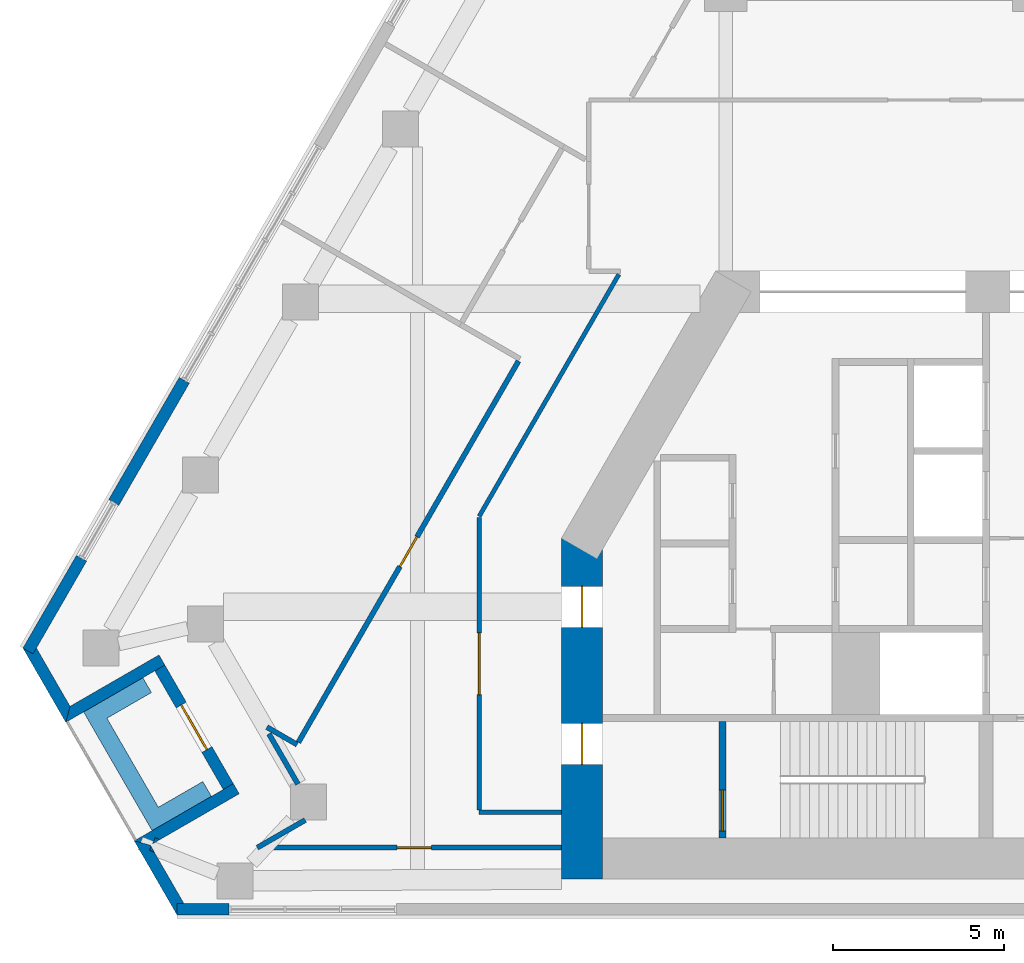
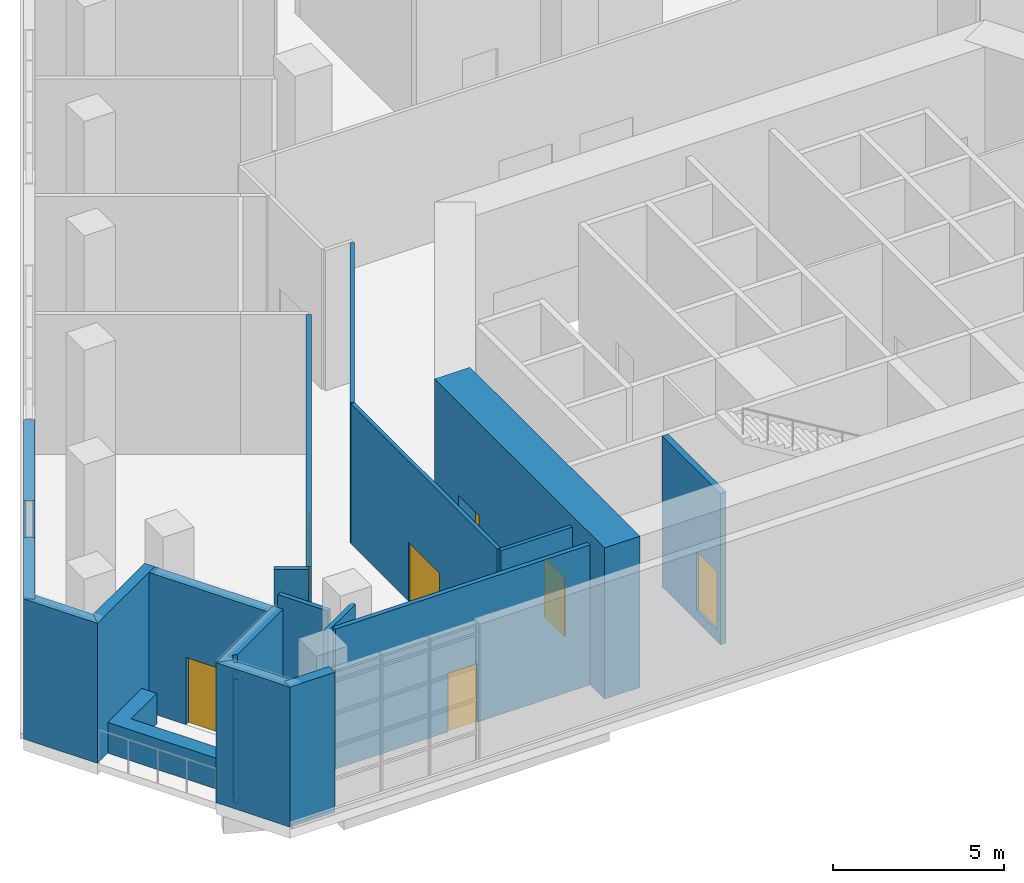
# One storey, part 12 of 18: 21 walls, 7 doors, 7 openings.
"""IFC4 building model written with IfcOpenShell, lengths in metres."""

from ifc_helpers import new_model, si_unit, direction, frame, frame_2d, origin, place, context, subcontext, project, spatial, polyline, rectangle, outline, extrude, material, layer, layer_set, type_object, element, fill, save


model = new_model("IFC4")

# Units and contexts
model_context = context("Model", 3, precision=1e-05, world=origin(), true_north=direction((0.0, 1.0)))
body_context = subcontext(model_context, "Body", "Model", "MODEL_VIEW")
ifc_project = project(units=[si_unit("LENGTHUNIT", "METRE"), si_unit("AREAUNIT", "SQUARE_METRE"), si_unit("VOLUMEUNIT", "CUBIC_METRE"), si_unit("PLANEANGLEUNIT", "RADIAN"), si_unit("MASSUNIT", "GRAM", prefix="KILO")], contexts=[model_context])

# Site, building, storey
site_placement = place(None, origin())
site = spatial("IfcSite", under=ifc_project, at=site_placement, CompositionType="ELEMENT")
building_placement = place(site_placement, origin())
building = spatial("IfcBuilding", under=site, at=building_placement, Name="Fogline Exchange Tower", CompositionType="ELEMENT")
storey_placement = place(building_placement, frame((0.0, 0.0, 137.5)))
storey = spatial("IfcBuildingStorey", under=building, at=storey_placement, Name="L30", CompositionType="ELEMENT", Elevation=137.5)

# Wall, opening, door
ifc_material_1 = material(Name="Concrete C40", Category="concrete")
ifc_layer_1 = layer(ifc_material_1, 0.199951171875)
ifc_layer_set_1 = layer_set([ifc_layer_1], Name="CW20R")
wall_type_1 = type_object("IfcWallType", Name="CW20R", PredefinedType="SOLIDWALL", material=ifc_layer_set_1)
wall_1_placement = place(storey_placement, frame((-9.10009765625, 2.25, -0.39990234375), z_axis=(0.0, 0.0, 1.0), x_axis=(0.0, 1.0, 0.0)))
wall_1 = element("IfcWall", 1, at=wall_1_placement, inside=storey, type_object=wall_type_1, Name="Stair enclosure wall", PredefinedType="SOLIDWALL", context=body_context, shape_type="SweptSolid", body=[
    extrude(rectangle(XDim=3.39990234375, YDim=0.199951171875, at=frame_2d((1.699951171875, 0.0))), origin(), (0.0, 0.0, 1.0), 5.39990234375),
])
opening_1_placement = place(wall_1_placement, frame((0.199951171875, 0.0, 0.39990234375)))
opening_1 = element("IfcOpeningElement", 2, at=opening_1_placement, cuts=wall_1, Name="Opening T09-C010", PredefinedType="OPENING", context=body_context, shape_type="SweptSolid", body=[
    extrude(rectangle(XDim=1.199951171875, YDim=2.10009765625, at=frame_2d((0.60009765625, 1.050048828125))), frame((0.0, 0.10986328125, 0.0), z_axis=(0.0, -1.0, 0.0), x_axis=(1.0, 0.0, 0.0)), (0.0, 0.0, 1.0), 0.219970703125),
])
ifc_material_2 = material(Name="Steel and timber fire door", Category="steel")
door_type_1 = type_object("IfcDoorType", Name="D-ST1", OperationType="SINGLE_SWING_LEFT", PredefinedType="DOOR", material=ifc_material_2)
door_1_placement = place(opening_1_placement, frame((1.199951171875, 0.0, 0.0), z_axis=(0.0, 0.0, 1.0), x_axis=(-1.0, 0.0, 0.0)))
door_1 = element("IfcDoor", 3, at=door_1_placement, inside=storey, type_object=door_type_1, Name="Stair door ST1", OperationType="SINGLE_SWING_RIGHT", OverallHeight=2.10009765625, OverallWidth=1.199951171875, PredefinedType="DOOR", context=body_context, shape_type="SweptSolid", body=[
    extrude(rectangle(XDim=1.199951171875, YDim=2.10009765625, at=frame_2d((0.60009765625, 1.050048828125))), frame((0.0, 0.02490234375, 0.0), z_axis=(0.0, -1.0, 0.0), x_axis=(1.0, 0.0, 0.0)), (0.0, 0.0, 1.0), 0.050048828125),
])
fill(opening_1, door_1)

# Walls
ifc_material_3 = material(Name="Brick masonry", Category="masonry")
ifc_layer_2 = layer(ifc_material_3, 0.340087890625)
ifc_layer_set_2 = layer_set([ifc_layer_2], Name="FW1")
wall_type_2 = type_object("IfcWallType", Name="FW1", PredefinedType="SOLIDWALL", material=ifc_layer_set_2)
wall_2_placement = place(storey_placement, origin())
element("IfcWall", 4, at=wall_2_placement, inside=storey, type_object=wall_type_2, Name="Brick wall L30 SW-c1", PredefinedType="SOLIDWALL", context=body_context, shape_type="SweptSolid", body=[
    extrude(outline(polyline([(-28.270751953125, 5.6279296875), (-29.52197265625, 7.794921875), (-29.521484375, 7.79541015625), (-29.2265625, 7.625), (-29.128173828125, 7.79541015625), (-28.145751953125, 6.09375), (-28.2705078125, 5.6279296875), (-28.270751953125, 5.6279296875)])), origin(), (0.0, 0.0, 1.0), 5.0),
])
wall_3_placement = place(storey_placement, origin())
element("IfcWall", 5, at=wall_3_placement, inside=storey, type_object=wall_type_2, Name="Brick wall L30 SW-s1", PredefinedType="SOLIDWALL", context=body_context, shape_type="SweptSolid", body=[
    extrude(outline(polyline([(-25.548095703125, 7.594482421875), (-25.37744140625, 7.298828125), (-25.672607421875, 7.128662109375), (-28.271484375, 5.628173828125), (-28.271728515625, 5.62841796875), (-28.14697265625, 6.093994140625), (-25.548095703125, 7.594482421875)])), origin(), (0.0, 0.0, 1.0), 5.0),
])

# Wall, opening, door
wall_4_placement = place(storey_placement, frame((-25.525634765625, 7.214111328125, 0.0), z_axis=(0.0, 0.0, 1.0), x_axis=(0.49999894854, -0.866026010844, 0.0)))
wall_4 = element("IfcWall", 6, at=wall_4_placement, inside=storey, type_object=wall_type_2, Name="Brick wall L30 SW-bk", PredefinedType="SOLIDWALL", context=body_context, shape_type="SweptSolid", body=[
    extrude(rectangle(XDim=4.0, YDim=0.340087890625, at=frame_2d((2.0, 0.0))), origin(), (0.0, 0.0, 1.0), 5.0),
])
opening_2_placement = place(wall_4_placement, frame((1.25, 0.0, 0.0)))
opening_2 = element("IfcOpeningElement", 7, at=opening_2_placement, cuts=wall_4, Name="Opening T09-E021", PredefinedType="OPENING", context=body_context, shape_type="SweptSolid", body=[
    extrude(rectangle(XDim=1.5, YDim=2.39990234375, at=frame_2d((0.75, 1.199951171875))), frame((0.0, 0.18017578125, 0.0), z_axis=(0.0, -1.0, 0.0), x_axis=(1.0, 0.0, 0.0)), (0.0, 0.0, 1.0), 0.360107421875),
])
ifc_material_4 = material(Name="Aluminium and glass", Category="aluminium")
door_type_2 = type_object("IfcDoorType", Name="ED4", OperationType="SINGLE_SWING_LEFT", PredefinedType="DOOR", material=ifc_material_4)
door_2_placement = place(opening_2_placement, frame((1.5, 0.0, 0.0), z_axis=(0.0, 0.0, 1.0), x_axis=(-1.0, 0.0, 0.0)))
door_2 = element("IfcDoor", 8, at=door_2_placement, inside=storey, type_object=door_type_2, Name="Balcony door L30 SW", OperationType="DOUBLE_DOOR_SINGLE_SWING", OverallHeight=2.39990234375, OverallWidth=1.5, PredefinedType="DOOR", context=body_context, shape_type="SweptSolid", body=[
    extrude(rectangle(XDim=1.5, YDim=2.39990234375, at=frame_2d((0.75, 1.199951171875))), frame((0.0, 0.02490234375, 0.0), z_axis=(0.0, -1.0, 0.0), x_axis=(1.0, 0.0, 0.0)), (0.0, 0.0, 1.0), 0.050048828125),
])
fill(opening_2, door_2)

# Walls
wall_5_placement = place(storey_placement, origin())
element("IfcWall", 9, at=wall_5_placement, inside=storey, type_object=wall_type_2, Name="Brick wall L30 SW-s2", PredefinedType="SOLIDWALL", context=body_context, shape_type="SweptSolid", body=[
    extrude(outline(polyline([(-25.741455078125, 2.077392578125), (-25.659423828125, 2.260986328125), (-25.5263671875, 2.20166015625), (-25.741455078125, 2.077392578125)])), origin(), (0.0, 0.0, 1.0), 4.39990234375),
])
wall_6_placement = place(storey_placement, origin())
element("IfcWall", 10, at=wall_6_placement, inside=storey, type_object=wall_type_2, Name="Brick wall L30 SW-s2", PredefinedType="SOLIDWALL", context=body_context, shape_type="SweptSolid", body=[
    extrude(outline(polyline([(-23.673095703125, 3.66552734375), (-23.378173828125, 3.8359375), (-23.20751953125, 3.540283203125), (-25.5263671875, 2.20166015625), (-25.659423828125, 2.260986328125), (-25.741455078125, 2.077392578125), (-25.806396484375, 2.0400390625), (-26.27197265625, 2.164794921875), (-26.27197265625, 2.1650390625), (-23.673095703125, 3.66552734375)])), origin(), (0.0, 0.0, 1.0), 5.0),
])
wall_7_placement = place(storey_placement, origin())
element("IfcWall", 11, at=wall_7_placement, inside=storey, type_object=wall_type_2, Name="Brick wall L30 SW-c2", PredefinedType="SOLIDWALL", context=body_context, shape_type="SweptSolid", body=[
    extrude(outline(polyline([(-25.687255859375, 1.83544921875), (-25.822509765625, 1.895751953125), (-25.77880859375, 1.993896484375), (-25.687255859375, 1.83544921875)])), origin(), (0.0, 0.0, 1.0), 4.39990234375),
])
wall_8_placement = place(storey_placement, origin())
element("IfcWall", 12, at=wall_8_placement, inside=storey, type_object=wall_type_2, Name="Brick wall L30 SW-c2", PredefinedType="SOLIDWALL", context=body_context, shape_type="SweptSolid", body=[
    extrude(outline(polyline([(-25.020263671875, 0.33935546875), (-25.020263671875, -0.0009765625), (-25.020751953125, -0.001220703125), (-26.27197265625, 2.165771484375), (-26.271728515625, 2.166015625), (-25.805908203125, 2.041015625), (-25.77880859375, 1.993896484375), (-25.822509765625, 1.895751953125), (-25.687255859375, 1.83544921875), (-24.823486328125, 0.33935546875), (-25.020263671875, 0.33935546875)])), origin(), (0.0, 0.0, 1.0), 5.0),
])
wall_9_placement = place(storey_placement, frame((-25.020751953125, 0.169921875, 0.0), z_axis=(0.0, 0.0, 1.0), x_axis=(1.0, 0.0, 0.0)))
element("IfcWall", 13, at=wall_9_placement, inside=storey, type_object=wall_type_2, Name="Brick wall L30 S bay 1", PredefinedType="SOLIDWALL", context=body_context, shape_type="SweptSolid", body=[
    extrude(rectangle(XDim=1.520751953125, YDim=0.340087890625, at=frame_2d((0.76025390625, 0.0))), origin(), (0.0, 0.0, 1.0), 5.0),
])
wall_10_placement = place(storey_placement, frame((-24.81103515625, 15.612060546875, 0.0), z_axis=(0.0, 0.0, 1.0), x_axis=(-0.499974107589, -0.866040352259, 0.0)))
element("IfcWall", 14, at=wall_10_placement, inside=storey, type_object=wall_type_2, Name="Brick wall L30 W bay 5", PredefinedType="SOLIDWALL", context=body_context, shape_type="SweptSolid", body=[
    extrude(rectangle(XDim=4.114990234375, YDim=0.340087890625, at=frame_2d((2.0576171875, 0.0))), origin(), (0.0, 0.0, 1.0), 5.0),
])
wall_11_placement = place(storey_placement, frame((-27.81103515625, 10.416015625, 0.0), z_axis=(0.0, 0.0, 1.0), x_axis=(-0.499936582807, -0.866062014622, 0.0)))
element("IfcWall", 15, at=wall_11_placement, inside=storey, type_object=wall_type_2, Name="Brick wall L30 W bay 6", PredefinedType="SOLIDWALL", context=body_context, shape_type="SweptSolid", body=[
    extrude(rectangle(XDim=3.12548828125, YDim=0.340087890625, at=frame_2d((1.562744140625, 0.0))), origin(), (0.0, 0.0, 1.0), 5.0),
])
ifc_material_5 = material(Name="Concrete C30", Category="concrete")
ifc_layer_3 = layer(ifc_material_5, 0.199951171875)
ifc_layer_set_3 = layer_set([ifc_layer_3], Name="PL1")
wall_type_3 = type_object("IfcWallType", Name="PL1", PredefinedType="USERDEFINED", material=ifc_layer_set_3)
wall_12_placement = place(storey_placement, origin())
element("IfcWall", 16, at=wall_12_placement, inside=storey, type_object=wall_type_3, Name="PLANTER balcony L30 SW", ObjectType="PLANTER", PredefinedType="USERDEFINED", context=body_context, shape_type="SweptSolid", body=[
    extrude(outline(polyline([(-24.269287109375, 3.898193359375), (-25.568115234375, 3.148193359375), (-27.068115234375, 5.74609375), (-25.769287109375, 6.49609375), (-26.019287109375, 6.92919921875), (-27.751220703125, 5.92919921875), (-27.501220703125, 5.49609375), (-25.751220703125, 2.465087890625), (-25.318115234375, 2.715087890625), (-25.318115234375, 2.715087890625), (-24.019287109375, 3.465087890625), (-24.269287109375, 3.898193359375)])), origin(), (0.0, 0.0, 1.0), 1.10009765625),
])
ifc_material_6 = material(Name="Plasterboard corridor partition with mineral wool, 2 layers each side")
ifc_layer_4 = layer(ifc_material_6, 0.125)
ifc_layer_set_4 = layer_set([ifc_layer_4], Name="PW2")
wall_type_4 = type_object("IfcWallType", Name="PW2", PredefinedType="PARTITIONING", material=ifc_layer_set_4)
wall_13_placement = place(storey_placement, frame((-13.800048828125, 3.0, 0.0), z_axis=(0.0, 0.0, 1.0), x_axis=(-1.0, 0.0, 0.0)))
element("IfcWall", 17, at=wall_13_placement, inside=storey, type_object=wall_type_4, Name="wall-L30-W014", PredefinedType="PARTITIONING", context=body_context, shape_type="SweptSolid", body=[
    extrude(rectangle(XDim=2.39990234375, YDim=0.125, at=frame_2d((1.199951171875, 0.0))), origin(), (0.0, 0.0, 1.0), 5.0),
])

# Wall, opening, door
wall_14_placement = place(storey_placement, frame((-16.199951171875, 3.0625, 0.0), z_axis=(0.0, 0.0, 1.0), x_axis=(0.0, 1.0, 0.0)))
wall_14 = element("IfcWall", 18, at=wall_14_placement, inside=storey, type_object=wall_type_4, Name="wall-L30-W015", PredefinedType="PARTITIONING", context=body_context, shape_type="SweptSolid", body=[
    extrude(rectangle(XDim=8.548583984375, YDim=0.125, at=frame_2d((4.2744140625, 0.0))), origin(), (0.0, 0.0, 1.0), 5.0),
])
opening_3_placement = place(wall_14_placement, frame((3.374267578125, 0.0, 0.0)))
opening_3 = element("IfcOpeningElement", 19, at=opening_3_placement, cuts=wall_14, Name="Opening T09-D007", PredefinedType="OPENING", context=body_context, shape_type="SweptSolid", body=[
    extrude(rectangle(XDim=1.800048828125, YDim=2.10009765625, at=frame_2d((0.89990234375, 1.050048828125))), frame((0.0, 0.072509765625, 0.0), z_axis=(0.0, -1.0, 0.0), x_axis=(1.0, 0.0, 0.0)), (0.0, 0.0, 1.0), 0.14501953125),
])
ifc_material_7 = material(Name="Fire-rated timber door leaves with steel frame", Category="steel")
door_type_3 = type_object("IfcDoorType", Name="D4", OperationType="DOUBLE_DOOR_SINGLE_SWING", PredefinedType="DOOR", material=ifc_material_7)
door_3_placement = place(opening_3_placement, frame((1.800048828125, 0.0, 0.0), z_axis=(0.0, 0.0, 1.0), x_axis=(-1.0, 0.0, 0.0)))
door_3 = element("IfcDoor", 20, at=door_3_placement, inside=storey, type_object=door_type_3, Name="door-L30-D007", OperationType="DOUBLE_DOOR_SINGLE_SWING", OverallHeight=2.10009765625, OverallWidth=1.800048828125, PredefinedType="DOOR", context=body_context, shape_type="SweptSolid", body=[
    extrude(rectangle(XDim=1.800048828125, YDim=2.10009765625, at=frame_2d((0.89990234375, 1.050048828125))), frame((0.0, 0.02490234375, 0.0), z_axis=(0.0, -1.0, 0.0), x_axis=(1.0, 0.0, 0.0)), (0.0, 0.0, 1.0), 0.050048828125),
])
fill(opening_3, door_3)

# Wall
wall_15_placement = place(storey_placement, frame((-16.199951171875, 11.64208984375, 0.0), z_axis=(0.0, 0.0, 1.0), x_axis=(0.499989328978, 0.866031564614, 0.0)))
element("IfcWall", 21, at=wall_15_placement, inside=storey, type_object=wall_type_4, Name="wall-L30-W016", PredefinedType="PARTITIONING", context=body_context, shape_type="SweptSolid", body=[
    extrude(rectangle(XDim=8.156494140625, YDim=0.125, at=frame_2d((4.078125, 0.0))), origin(), (0.0, 0.0, 1.0), 5.0),
])

# Wall, opening, door
ifc_material_8 = material(Name="Plasterboard demising partition with mineral wool and acoustic board")
ifc_layer_5 = layer(ifc_material_8, 0.14990234375)
ifc_layer_set_5 = layer_set([ifc_layer_5], Name="PW3")
wall_type_5 = type_object("IfcWallType", Name="PW3", PredefinedType="PARTITIONING", material=ifc_layer_set_5)
wall_16_placement = place(storey_placement, frame((-15.0517578125, 16.17529296875, 0.0), z_axis=(0.0, 0.0, 1.0), x_axis=(-0.500011789842, -0.866018596809, 0.0)))
wall_16 = element("IfcWall", 22, at=wall_16_placement, inside=storey, type_object=wall_type_5, Name="wall-L30-W054", PredefinedType="PARTITIONING", context=body_context, shape_type="SweptSolid", body=[
    extrude(rectangle(XDim=12.855224609375, YDim=0.14990234375, at=frame_2d((6.427734375, 0.0))), origin(), (0.0, 0.0, 1.0), 5.0),
])
opening_4_placement = place(wall_16_placement, frame((5.927490234375, 0.0, 0.0)))
opening_4 = element("IfcOpeningElement", 23, at=opening_4_placement, cuts=wall_16, Name="Opening T09-D017", PredefinedType="OPENING", context=body_context, shape_type="SweptSolid", body=[
    extrude(rectangle(XDim=1.0, YDim=2.10009765625, at=frame_2d((0.5, 1.050048828125))), frame((0.0, 0.0849609375, 0.0), z_axis=(0.0, -1.0, 0.0), x_axis=(1.0, 0.0, 0.0)), (0.0, 0.0, 1.0), 0.169921875),
])
ifc_material_9 = material(Name="Fire-rated timber door leaf with steel frame", Category="steel")
door_type_4 = type_object("IfcDoorType", Name="D3", OperationType="SINGLE_SWING_LEFT", PredefinedType="DOOR", material=ifc_material_9)
door_4_placement = place(opening_4_placement, frame((1.0, 0.0, 0.0), z_axis=(0.0, 0.0, 1.0), x_axis=(-1.0, 0.0, 0.0)))
door_4 = element("IfcDoor", 24, at=door_4_placement, inside=storey, type_object=door_type_4, Name="door-L30-D017", OperationType="SINGLE_SWING_RIGHT", OverallHeight=2.10009765625, OverallWidth=1.0, PredefinedType="DOOR", context=body_context, shape_type="SweptSolid", body=[
    extrude(rectangle(XDim=1.0, YDim=2.10009765625, at=frame_2d((0.5, 1.050048828125))), frame((0.0, 0.02490234375, 0.0), z_axis=(0.0, -1.0, 0.0), x_axis=(1.0, 0.0, 0.0)), (0.0, 0.0, 1.0), 0.050048828125),
])
fill(opening_4, door_4)

# Wall
wall_17_placement = place(storey_placement, frame((-21.516845703125, 4.9775390625, 0.0), z_axis=(0.0, 0.0, 1.0), x_axis=(-0.866017611601, 0.500013496215, 0.0)))
element("IfcWall", 25, at=wall_17_placement, inside=storey, type_object=wall_type_5, Name="wall-L30-W055", PredefinedType="PARTITIONING", context=body_context, shape_type="SweptSolid", body=[
    extrude(rectangle(XDim=1.0166015625, YDim=0.14990234375, at=frame_2d((0.50830078125, 0.0))), origin(), (0.0, 0.0, 1.0), 5.0),
])

# Wall, opening, door
wall_18_placement = place(storey_placement, frame((-13.800048828125, 1.967529296875, 0.0), z_axis=(0.0, 0.0, 1.0), x_axis=(-1.0, 0.0, 0.0)))
wall_18 = element("IfcWall", 26, at=wall_18_placement, inside=storey, type_object=wall_type_5, Name="wall-L30-W056", PredefinedType="PARTITIONING", context=body_context, shape_type="SweptSolid", body=[
    extrude(rectangle(XDim=8.59765625, YDim=0.14990234375, at=frame_2d((4.298828125, 0.0))), origin(), (0.0, 0.0, 1.0), 5.0),
])
opening_5_placement = place(wall_18_placement, frame((3.798828125, 0.0, 0.0)))
opening_5 = element("IfcOpeningElement", 27, at=opening_5_placement, cuts=wall_18, Name="Opening T09-D018", PredefinedType="OPENING", context=body_context, shape_type="SweptSolid", body=[
    extrude(rectangle(XDim=1.0, YDim=2.10009765625, at=frame_2d((0.5, 1.050048828125))), frame((0.0, 0.0849609375, 0.0), z_axis=(0.0, -1.0, 0.0), x_axis=(1.0, 0.0, 0.0)), (0.0, 0.0, 1.0), 0.169921875),
])
door_5_placement = place(opening_5_placement, origin())
door_5 = element("IfcDoor", 28, at=door_5_placement, inside=storey, type_object=door_type_4, Name="door-L30-D018", OperationType="SINGLE_SWING_LEFT", OverallHeight=2.10009765625, OverallWidth=1.0, PredefinedType="DOOR", context=body_context, shape_type="SweptSolid", body=[
    extrude(rectangle(XDim=1.0, YDim=2.10009765625, at=frame_2d((0.5, 1.050048828125))), frame((0.0, 0.02490234375, 0.0), z_axis=(0.0, -1.0, 0.0), x_axis=(1.0, 0.0, 0.0)), (0.0, 0.0, 1.0), 0.050048828125),
])
fill(opening_5, door_5)

# Walls
wall_19_placement = place(storey_placement, frame((-22.677978515625, 1.967529296875, 0.0), z_axis=(0.0, 0.0, 1.0), x_axis=(0.866064609488, 0.499932087581, 0.0)))
element("IfcWall", 29, at=wall_19_placement, inside=storey, type_object=wall_type_5, Name="wall-L30-W057", PredefinedType="PARTITIONING", context=body_context, shape_type="SweptSolid", body=[
    extrude(rectangle(XDim=1.613037109375, YDim=0.14990234375, at=frame_2d((0.806640625, 0.0))), origin(), (0.0, 0.0, 1.0), 5.0),
])
wall_20_placement = place(storey_placement, frame((-21.49267578125, 3.823974609375, 0.0), z_axis=(0.0, 0.0, 1.0), x_axis=(-0.499984530349, 0.866034335007, 0.0)))
element("IfcWall", 30, at=wall_20_placement, inside=storey, type_object=wall_type_5, Name="wall-L30-W058", PredefinedType="PARTITIONING", context=body_context, shape_type="SweptSolid", body=[
    extrude(rectangle(XDim=1.693359375, YDim=0.14990234375, at=frame_2d((0.8466796875, 0.0))), origin(), (0.0, 0.0, 1.0), 4.199951171875),
])

# Wall, openings, doors
ifc_material_10 = material(Name="Concrete C60", Category="concrete")
ifc_layer_6 = layer(ifc_material_10, 1.199951171875)
ifc_layer_set_6 = layer_set([ifc_layer_6], Name="SW02")
wall_type_6 = type_object("IfcWallType", Name="SW02", PredefinedType="SHEAR", material=ifc_layer_set_6)
wall_21_placement = place(storey_placement, frame((-13.199951171875, 10.9990234375, 0.0), z_axis=(0.0, 0.0, 1.0), x_axis=(0.0, -1.0, 0.0)))
wall_21 = element("IfcWall", 31, at=wall_21_placement, inside=storey, type_object=wall_type_6, Name="L30-W906", PredefinedType="SHEAR", context=body_context, shape_type="SweptSolid", body=[
    extrude(rectangle(XDim=9.948974609375, YDim=1.199951171875, at=frame_2d((4.974609375, 0.0))), origin(), (0.0, 0.0, 1.0), 5.39990234375),
])
opening_6_placement = place(wall_21_placement, frame((5.39892578125, 0.0, 0.0)))
opening_6 = element("IfcOpeningElement", 32, at=opening_6_placement, cuts=wall_21, Name="Opening T09-C009", PredefinedType="OPENING", context=body_context, shape_type="SweptSolid", body=[
    extrude(rectangle(XDim=1.199951171875, YDim=2.10009765625, at=frame_2d((0.60009765625, 1.050048828125))), frame((0.0, 0.60986328125, 0.0), z_axis=(0.0, -1.0, 0.0), x_axis=(1.0, 0.0, 0.0)), (0.0, 0.0, 1.0), 1.219970703125),
])
opening_7_placement = place(wall_21_placement, frame((1.39892578125, 0.0, 0.0)))
opening_7 = element("IfcOpeningElement", 33, at=opening_7_placement, cuts=wall_21, Name="Opening T09-C011", PredefinedType="OPENING", context=body_context, shape_type="SweptSolid", body=[
    extrude(rectangle(XDim=1.199951171875, YDim=2.10009765625, at=frame_2d((0.60009765625, 1.050048828125))), frame((0.0, 0.60986328125, 0.0), z_axis=(0.0, -1.0, 0.0), x_axis=(1.0, 0.0, 0.0)), (0.0, 0.0, 1.0), 1.219970703125),
])
door_type_5 = type_object("IfcDoorType", Name="D-FR1", OperationType="SINGLE_SWING_RIGHT", PredefinedType="DOOR", material=ifc_material_2)
door_6_placement = place(opening_6_placement, origin())
door_6 = element("IfcDoor", 34, at=door_6_placement, inside=storey, type_object=door_type_5, Name="Front room door ST1", OperationType="SINGLE_SWING_LEFT", OverallHeight=2.10009765625, OverallWidth=1.199951171875, PredefinedType="DOOR", context=body_context, shape_type="SweptSolid", body=[
    extrude(rectangle(XDim=1.199951171875, YDim=2.10009765625, at=frame_2d((0.60009765625, 1.050048828125))), frame((0.0, 0.02490234375, 0.0), z_axis=(0.0, -1.0, 0.0), x_axis=(1.0, 0.0, 0.0)), (0.0, 0.0, 1.0), 0.050048828125),
])
fill(opening_6, door_6)
door_type_6 = type_object("IfcDoorType", Name="D-SV1", OperationType="SINGLE_SWING_LEFT", PredefinedType="DOOR", material=ifc_material_2)
door_7_placement = place(opening_7_placement, origin())
door_7 = element("IfcDoor", 35, at=door_7_placement, inside=storey, type_object=door_type_6, Name="Service door W", OperationType="SINGLE_SWING_LEFT", OverallHeight=2.10009765625, OverallWidth=1.199951171875, PredefinedType="DOOR", context=body_context, shape_type="SweptSolid", body=[
    extrude(rectangle(XDim=1.199951171875, YDim=2.10009765625, at=frame_2d((0.60009765625, 1.050048828125))), frame((0.0, 0.02490234375, 0.0), z_axis=(0.0, -1.0, 0.0), x_axis=(1.0, 0.0, 0.0)), (0.0, 0.0, 1.0), 0.050048828125),
])
fill(opening_7, door_7)

save(model, "model.ifc")
